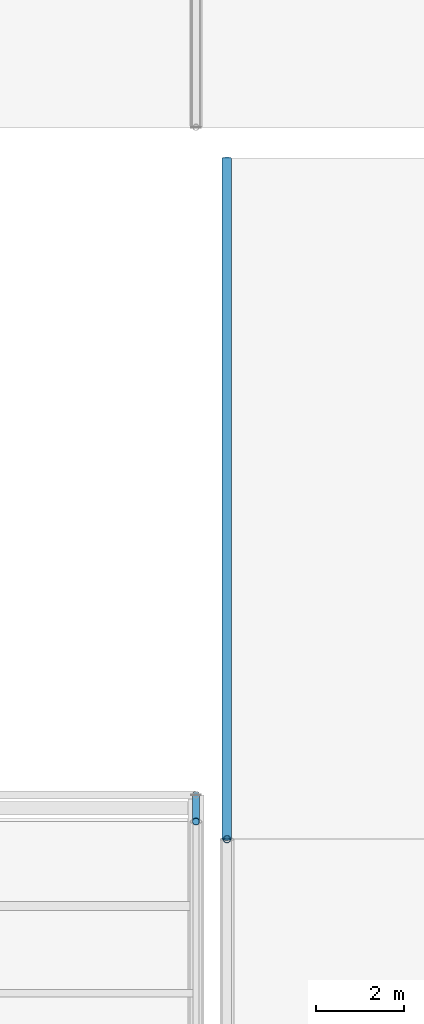
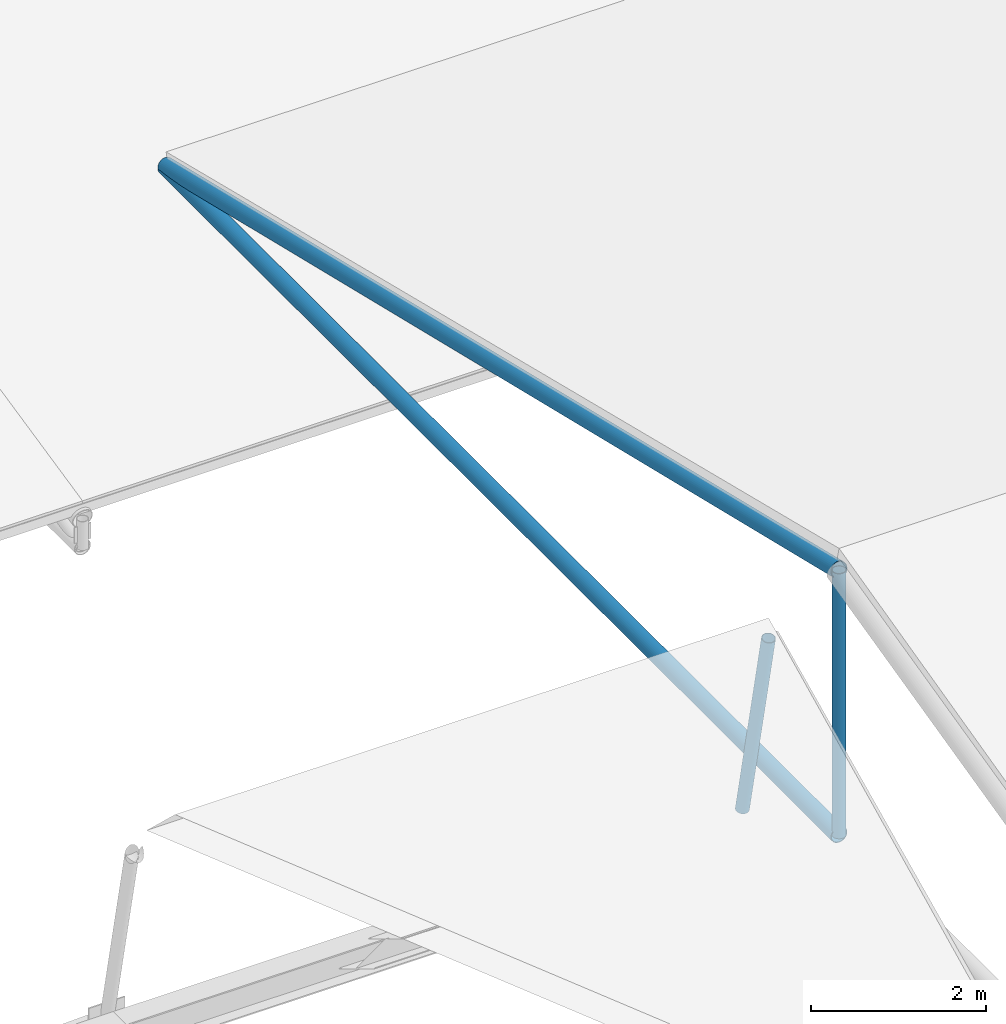
# One storey, part 63 of 194: 4 members.
"""IFC4 building model written with IfcOpenShell, lengths in metres."""

from ifc_helpers import new_model, si_unit, direction, frame, origin, origin_2d, place, context, subcontext, project, spatial, hollow_circle, extrude, material, material_profile, profile_set, type_object, element, save


model = new_model("IFC4")

# Units and contexts
model_context = context("Model", 3, precision=1e-05, world=origin(), true_north=direction((0.0, 1.0)))
body_context = subcontext(model_context, "Body", "Model", "MODEL_VIEW")
ifc_project = project(units=[si_unit("LENGTHUNIT", "METRE"), si_unit("AREAUNIT", "SQUARE_METRE"), si_unit("VOLUMEUNIT", "CUBIC_METRE"), si_unit("PLANEANGLEUNIT", "RADIAN"), si_unit("MASSUNIT", "GRAM", prefix="KILO")], contexts=[model_context])

# Site, building, storey
site_placement = place(None, origin())
site = spatial("IfcSite", under=ifc_project, at=site_placement, CompositionType="ELEMENT")
building_placement = place(site_placement, origin())
building = spatial("IfcBuilding", under=site, at=building_placement, Name="Kazenagashi Tramway Depot", CompositionType="ELEMENT")
storey_placement = place(building_placement, frame((0.0, 0.0, 23.7)))
storey = spatial("IfcBuildingStorey", under=building, at=storey_placement, Name="ROOF", CompositionType="ELEMENT", Elevation=23.7)

# Members
ifc_material = material(Name="Steel STK490", Category="steel")
ifc_material_profile_1 = material_profile(ifc_material, hollow_circle(Radius=0.10815, WallThickness=0.0082, at=origin_2d()), Name="CHS-216.3x8.2")
ifc_profile_set_1 = profile_set([ifc_material_profile_1], Name="Steel STK490")
member_type_1 = type_object("IfcMemberType", Name="TC-02", PredefinedType="CHORD", material=ifc_profile_set_1)
member_1_placement = place(storey_placement, frame((146.3, 53.9, -4.9), z_axis=(0.0, 0.972329961031, -0.233611743884), x_axis=(-1.0, 0.0, 0.0)))
element("IfcMember", 1, at=member_1_placement, inside=storey, type_object=member_type_1, Name="Roof Truss TC-02 MEM-1523", PredefinedType="CHORD", context=body_context, shape_type="SweptSolid", body=[
    extrude(hollow_circle(Radius=0.10815, WallThickness=0.0082, at=origin_2d()), origin(), (0.0, 0.0, 1.0), 15.838245),
])
member_2_placement = place(storey_placement, frame((146.3, 53.9, -8.6), z_axis=(0.0, 1.0, 0.0), x_axis=(-1.0, 0.0, 0.0)))
element("IfcMember", 2, at=member_2_placement, inside=storey, type_object=member_type_1, Name="Roof Truss TC-02 MEM-1525", PredefinedType="CHORD", context=body_context, shape_type="SweptSolid", body=[
    extrude(hollow_circle(Radius=0.10815, WallThickness=0.0082, at=origin_2d()), origin(), (0.0, 0.0, 1.0), 15.4),
])
ifc_material_profile_2 = material_profile(ifc_material, hollow_circle(Radius=0.0826, WallThickness=0.0071, at=origin_2d()), Name="CHS-165.2x7.1")
ifc_profile_set_2 = profile_set([ifc_material_profile_2], Name="Steel STK490")
member_type_2 = type_object("IfcMemberType", Name="TS-01", PredefinedType="STRUT", material=ifc_profile_set_2)
member_3_placement = place(storey_placement, frame((145.6, 54.3, -5.85), z_axis=(0.0, 0.213167075217, -0.97701576141), x_axis=(-1.0, 0.0, 0.0)))
element("IfcMember", 3, at=member_3_placement, inside=storey, type_object=member_type_2, Name="Roof Truss TS-01 MEM-1518", PredefinedType="STRUT", context=body_context, shape_type="SweptSolid", body=[
    extrude(hollow_circle(Radius=0.0826, WallThickness=0.0071, at=origin_2d()), origin(), (0.0, 0.0, 1.0), 2.814694),
])
member_4_placement = place(storey_placement, frame((146.3, 53.9, -8.6), z_axis=(0.0, 0.0, 1.0), x_axis=(1.0, 0.0, 0.0)))
element("IfcMember", 4, at=member_4_placement, inside=storey, type_object=member_type_2, Name="Roof Truss TS-01 MEM-1526", PredefinedType="STRUT", context=body_context, shape_type="SweptSolid", body=[
    extrude(hollow_circle(Radius=0.0826, WallThickness=0.0071, at=origin_2d()), origin(), (0.0, 0.0, 1.0), 3.7),
])

save(model, "model.ifc")
